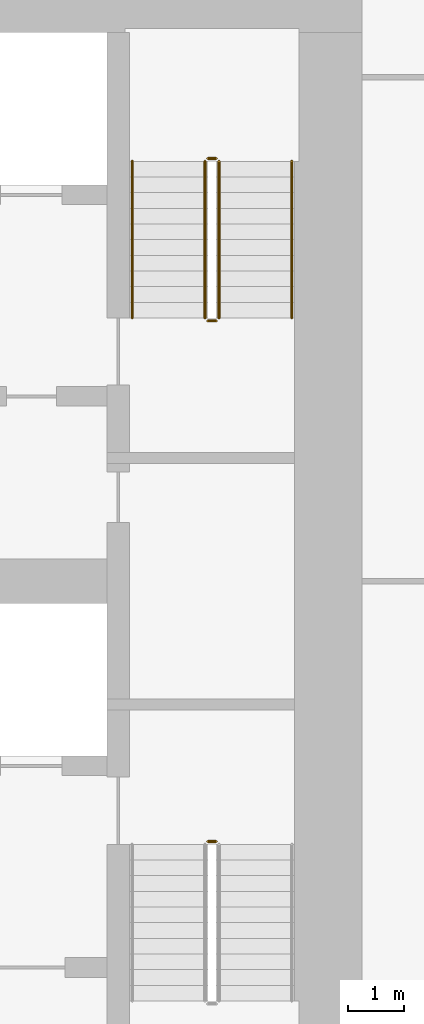
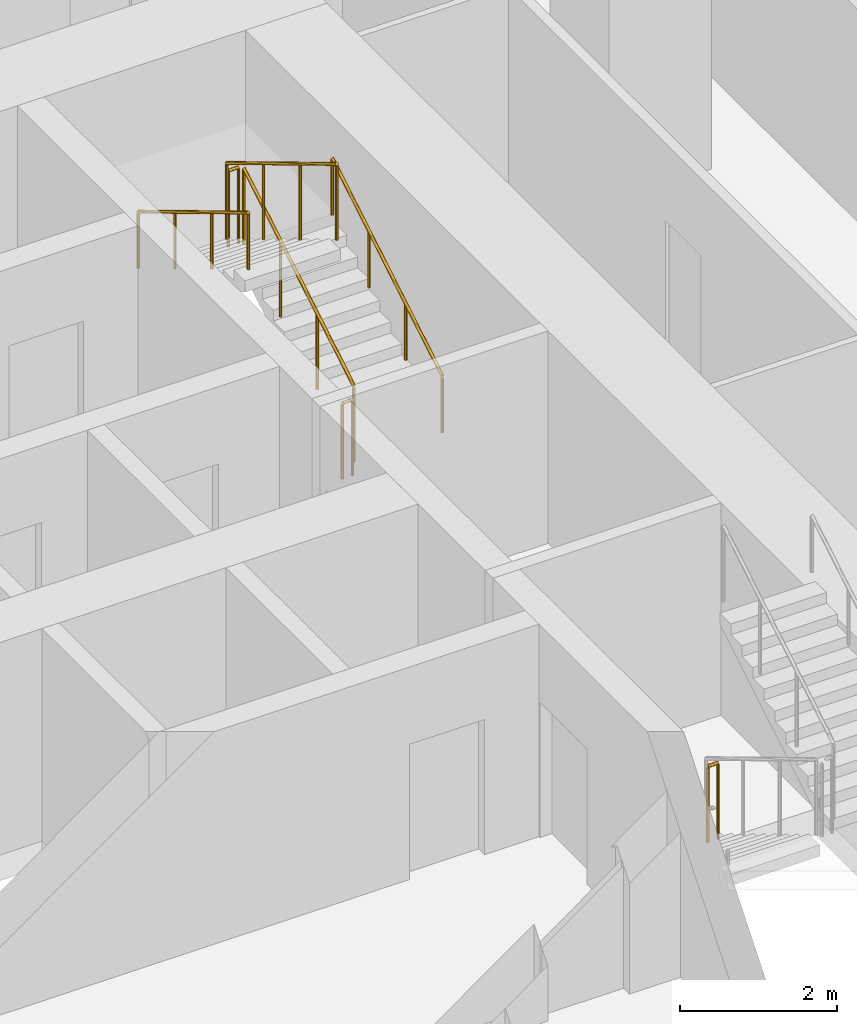
# One storey, part 25 of 26: 7 railings.
"""IFC4 building model written with IfcOpenShell, lengths in metres."""

from ifc_helpers import new_model, si_unit, direction, frame, origin, origin_2d, place, context, subcontext, project, spatial, circle, extrude, material, type_object, element, save


model = new_model("IFC4")

# Units and contexts
model_context = context("Model", 3, precision=1e-05, world=origin(), true_north=direction((0.0, 1.0)))
body_context = subcontext(model_context, "Body", "Model", "MODEL_VIEW")
ifc_project = project(units=[si_unit("LENGTHUNIT", "METRE"), si_unit("AREAUNIT", "SQUARE_METRE"), si_unit("VOLUMEUNIT", "CUBIC_METRE"), si_unit("PLANEANGLEUNIT", "RADIAN"), si_unit("MASSUNIT", "GRAM", prefix="KILO")], contexts=[model_context])

# Site, building, storey
site_placement = place(None, origin())
site = spatial("IfcSite", under=ifc_project, at=site_placement, CompositionType="ELEMENT")
building_placement = place(site_placement, origin())
building = spatial("IfcBuilding", under=site, at=building_placement, Name="Dongbaek Canopy Tower", CompositionType="ELEMENT")
storey_placement = place(building_placement, frame((0.0, 0.0, 73.60009765625)))
storey = spatial("IfcBuildingStorey", under=building, at=storey_placement, Name="L14", CompositionType="ELEMENT", Elevation=73.60009765625)

# Railings
ifc_material_1 = material(Name="Stainless steel tube and balusters", Category="steel")
railing_type_1 = type_object("IfcRailingType", Name="Stair guard 1200", PredefinedType="GUARDRAIL", material=ifc_material_1)
railing_1_placement = place(storey_placement, frame((11.449951171875, 4.699951171875, 0.16796875)))
element("IfcRailing", 1, at=railing_1_placement, inside=storey, type_object=railing_type_1, Name="L14 ST-A stair guard 1", PredefinedType="GUARDRAIL", context=body_context, shape_type="SweptSolid", body=[
    extrude(circle(Radius=0.02392578125, at=origin_2d()), frame((0.0, 0.0, 1.17578125), z_axis=(0.0, 0.857242210791, 0.514913383045), x_axis=(-1.0, 0.0, 0.0)), (0.0, 0.0, 1.0), 3.266357421875),
    extrude(circle(Radius=0.02099609375, at=origin_2d()), origin(), (0.0, 0.0, 1.0), 1.15185546875),
    extrude(circle(Radius=0.02099609375, at=origin_2d()), frame((0.0, 0.933349609375, 0.560546875)), (0.0, 0.0, 1.0), 1.15185546875),
    extrude(circle(Radius=0.02099609375, at=origin_2d()), frame((0.0, 1.86669921875, 1.121337890625)), (0.0, 0.0, 1.0), 1.15185546875),
    extrude(circle(Radius=0.02099609375, at=origin_2d()), frame((0.0, 2.800048828125, 1.681884765625)), (0.0, 0.0, 1.0), 1.15185546875),
])
railing_2_placement = place(storey_placement, frame((11.39990234375, 7.550048828125, 1.849853515625)))
element("IfcRailing", 2, at=railing_2_placement, inside=storey, type_object=railing_type_1, Name="L14 ST-A stair guard 2", PredefinedType="GUARDRAIL", context=body_context, shape_type="SweptSolid", body=[
    extrude(circle(Radius=0.02392578125, at=origin_2d()), frame((0.0, 0.0, 1.17578125), z_axis=(-1.0, 0.0, 0.0), x_axis=(0.0, -1.0, 0.0)), (0.0, 0.0, 1.0), 0.14990234375),
    extrude(circle(Radius=0.02099609375, at=origin_2d()), origin(), (0.0, 0.0, 1.0), 1.15185546875),
    extrude(circle(Radius=0.02099609375, at=origin_2d()), frame((-0.14990234375, 0.0, 0.0)), (0.0, 0.0, 1.0), 1.15185546875),
])
railing_3_placement = place(storey_placement, frame((11.199951171875, 7.5, 2.01806640625)))
element("IfcRailing", 3, at=railing_3_placement, inside=storey, type_object=railing_type_1, Name="L14 ST-A stair guard 3", PredefinedType="GUARDRAIL", context=body_context, shape_type="SweptSolid", body=[
    extrude(circle(Radius=0.02392578125, at=origin_2d()), frame((0.0, 0.0, 1.17578125), z_axis=(0.0, -0.857242210791, 0.514913383045), x_axis=(1.0, 0.0, 0.0)), (0.0, 0.0, 1.0), 3.266357421875),
    extrude(circle(Radius=0.02099609375, at=origin_2d()), origin(), (0.0, 0.0, 1.0), 1.15185546875),
    extrude(circle(Radius=0.02099609375, at=origin_2d()), frame((0.0, -0.933349609375, 0.560546875)), (0.0, 0.0, 1.0), 1.15185546875),
    extrude(circle(Radius=0.02099609375, at=origin_2d()), frame((0.0, -1.86669921875, 1.121337890625)), (0.0, 0.0, 1.0), 1.15185546875),
    extrude(circle(Radius=0.02099609375, at=origin_2d()), frame((0.0, -2.800048828125, 1.681884765625)), (0.0, 0.0, 1.0), 1.15185546875),
])
railing_4_placement = place(storey_placement, frame((11.39990234375, 4.64990234375, 0.0)))
element("IfcRailing", 4, at=railing_4_placement, inside=storey, type_object=railing_type_1, Name="L14 ST-A stair guard 4", PredefinedType="GUARDRAIL", context=body_context, shape_type="SweptSolid", body=[
    extrude(circle(Radius=0.02392578125, at=origin_2d()), frame((0.0, 0.0, 1.17578125), z_axis=(-1.0, 0.0, 0.0), x_axis=(0.0, -1.0, 0.0)), (0.0, 0.0, 1.0), 0.14990234375),
    extrude(circle(Radius=0.02099609375, at=origin_2d()), origin(), (0.0, 0.0, 1.0), 1.15185546875),
    extrude(circle(Radius=0.02099609375, at=origin_2d()), frame((-0.14990234375, 0.0, 0.0)), (0.0, 0.0, 1.0), 1.15185546875),
])
railing_5_placement = place(storey_placement, frame((11.25, -4.64990234375, 0.0)))
element("IfcRailing", 5, at=railing_5_placement, inside=storey, type_object=railing_type_1, Name="L14 ST-B stair guard 4", PredefinedType="GUARDRAIL", context=body_context, shape_type="SweptSolid", body=[
    extrude(circle(Radius=0.02392578125, at=origin_2d()), frame((0.0, 0.0, 1.17578125), z_axis=(1.0, 0.0, 0.0), x_axis=(0.0, 1.0, 0.0)), (0.0, 0.0, 1.0), 0.14990234375),
    extrude(circle(Radius=0.02099609375, at=origin_2d()), origin(), (0.0, 0.0, 1.0), 1.15185546875),
    extrude(circle(Radius=0.02099609375, at=origin_2d()), frame((0.14990234375, 0.0, 0.0)), (0.0, 0.0, 1.0), 1.15185546875),
])
ifc_material_2 = material(Name="Stainless steel tube", Category="steel")
railing_type_2 = type_object("IfcRailingType", Name="Stair handrail 900", PredefinedType="HANDRAIL", material=ifc_material_2)
railing_6_placement = place(storey_placement, frame((12.75, 4.699951171875, 0.16796875)))
element("IfcRailing", 6, at=railing_6_placement, inside=storey, type_object=railing_type_2, Name="L14 ST-A stair handrail 1", PredefinedType="HANDRAIL", context=body_context, shape_type="SweptSolid", body=[
    extrude(circle(Radius=0.02392578125, at=origin_2d()), frame((0.0, 0.0, 0.8759765625), z_axis=(0.0, 0.857242210791, 0.514913383045), x_axis=(-1.0, 0.0, 0.0)), (0.0, 0.0, 1.0), 3.266357421875),
    extrude(circle(Radius=0.02099609375, at=origin_2d()), origin(), (0.0, 0.0, 1.0), 0.851806640625),
    extrude(circle(Radius=0.02099609375, at=origin_2d()), frame((0.0, 0.933349609375, 0.560546875)), (0.0, 0.0, 1.0), 0.851806640625),
    extrude(circle(Radius=0.02099609375, at=origin_2d()), frame((0.0, 1.86669921875, 1.121337890625)), (0.0, 0.0, 1.0), 0.851806640625),
    extrude(circle(Radius=0.02099609375, at=origin_2d()), frame((0.0, 2.800048828125, 1.681884765625)), (0.0, 0.0, 1.0), 0.851806640625),
])
railing_7_placement = place(storey_placement, frame((9.89990234375, 7.5, 2.01806640625)))
element("IfcRailing", 7, at=railing_7_placement, inside=storey, type_object=railing_type_2, Name="L14 ST-A stair handrail 2", PredefinedType="HANDRAIL", context=body_context, shape_type="SweptSolid", body=[
    extrude(circle(Radius=0.02392578125, at=origin_2d()), frame((0.0, 0.0, 0.8759765625), z_axis=(0.0, -0.857242210791, 0.514913383045), x_axis=(1.0, 0.0, 0.0)), (0.0, 0.0, 1.0), 3.266357421875),
    extrude(circle(Radius=0.02099609375, at=origin_2d()), origin(), (0.0, 0.0, 1.0), 0.851806640625),
    extrude(circle(Radius=0.02099609375, at=origin_2d()), frame((0.0, -0.933349609375, 0.560546875)), (0.0, 0.0, 1.0), 0.851806640625),
    extrude(circle(Radius=0.02099609375, at=origin_2d()), frame((0.0, -1.86669921875, 1.121337890625)), (0.0, 0.0, 1.0), 0.851806640625),
    extrude(circle(Radius=0.02099609375, at=origin_2d()), frame((0.0, -2.800048828125, 1.681884765625)), (0.0, 0.0, 1.0), 0.851806640625),
])

save(model, "model.ifc")
